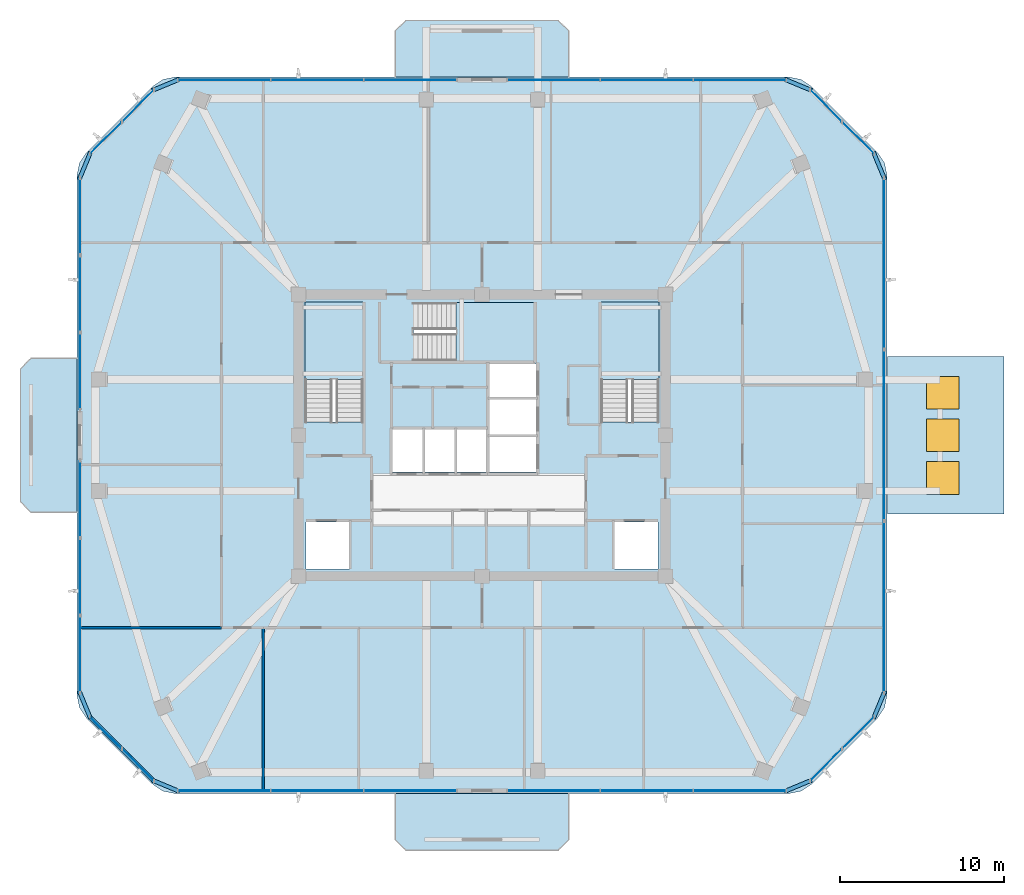
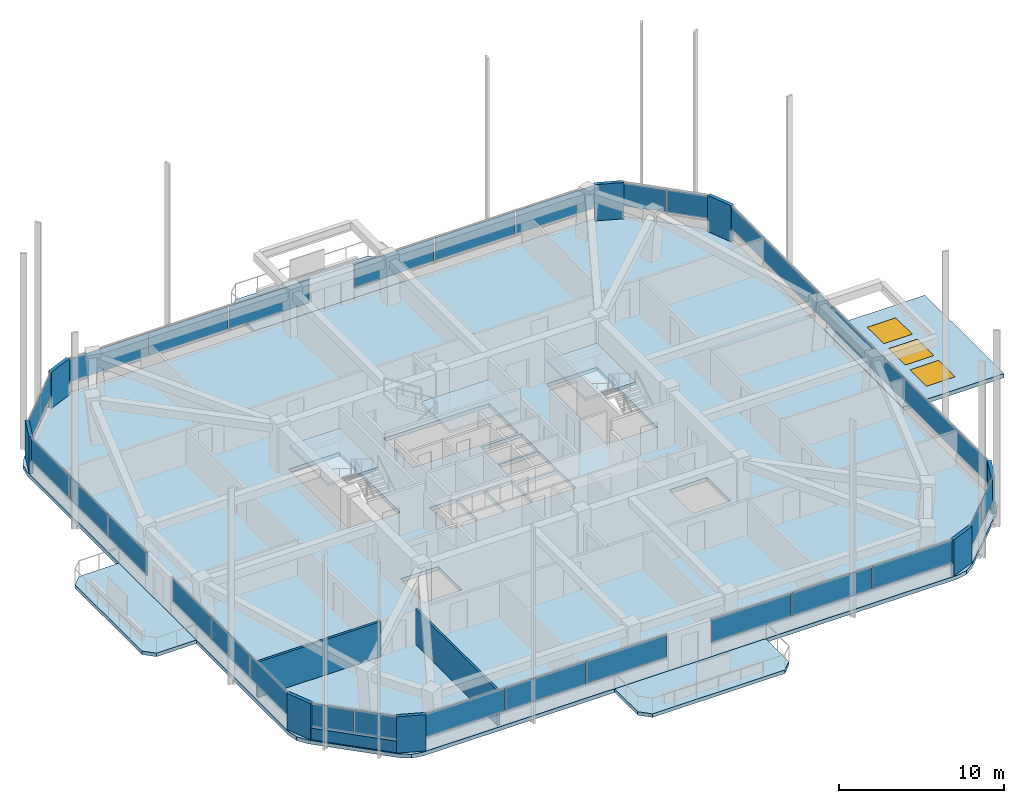
# One storey, part 6 of 14: 37 plates, 8 slabs, 3 walls, 3 windows, 3 openings, 14 elements without a shape of their own.
"""IFC4 building model written with IfcOpenShell, lengths in metres."""

from ifc_helpers import new_model, si_unit, derived_unit, direction, frame, frame_2d, origin, origin_2d, place, context, subcontext, project, spatial, polyline, rectangle, outline, extrude, material, layer, layer_set, type_object, element, fill, aggregate, save


model = new_model("IFC4")

# Units and contexts
model_context = context("Model", 3, precision=1e-05, world=origin(), true_north=direction((0.0, 1.0)))
body_context = subcontext(model_context, "Body", "Model", "MODEL_VIEW")
ifc_project = project(units=[si_unit("LENGTHUNIT", "METRE"), si_unit("AREAUNIT", "SQUARE_METRE"), si_unit("VOLUMEUNIT", "CUBIC_METRE"), si_unit("PLANEANGLEUNIT", "RADIAN"), si_unit("MASSUNIT", "GRAM", prefix="KILO"), derived_unit("THERMALTRANSMITTANCEUNIT", [(si_unit("POWERUNIT", "WATT"), 1), (si_unit("LENGTHUNIT", "METRE"), -2), (si_unit("THERMODYNAMICTEMPERATUREUNIT", "KELVIN"), -1)])], contexts=[model_context])

# Site, building, storey
site_placement = place(None, origin())
site = spatial("IfcSite", under=ifc_project, at=site_placement, CompositionType="ELEMENT")
building_placement = place(site_placement, origin())
building = spatial("IfcBuilding", under=site, at=building_placement, Name="Koralith Skygarden Medical Center", CompositionType="ELEMENT")
storey_placement = place(building_placement, frame((0.0, 0.0, 192.780029296875)))
storey = spatial("IfcBuildingStorey", under=building, at=storey_placement, Name="L49", CompositionType="ELEMENT", Elevation=192.780029296875)

# Curtain wall, plates
ifc_material_1 = material(Name="Clear Laminated Glass", Category="glass")
curtain_wall_type = type_object("IfcCurtainWallType", Name="CW-5 Zone 4 Flare Biophilic Curtain Wall", PredefinedType="NOTDEFINED", material=ifc_material_1)
curtain_wall_1_placement = place(storey_placement, origin())
curtain_wall_1 = element("IfcCurtainWall", 1, at=curtain_wall_1_placement, inside=storey, type_object=curtain_wall_type, Name="Curtain Wall CW-L49-S-L", PredefinedType="NOTDEFINED")
ifc_layer_1 = layer(ifc_material_1, 0.0380859375)
ifc_layer_set_1 = layer_set([ifc_layer_1], Name="Clear Laminated Glass")
plate_type_1 = type_object("IfcPlateType", Name="CW-5 Hurricane Laminated IGU Panel 38", PredefinedType="CURTAIN_PANEL", material=ifc_layer_set_1)
plate_1_placement = place(storey_placement, frame((21.27001953125, 4.205078125, 0.919921875), z_axis=(0.0, 0.0, 1.0), x_axis=(1.0, 0.0, 0.0)))
plate_1 = element("IfcPlate", 2, at=plate_1_placement, type_object=plate_type_1, Name="CW-L49-S-L Glazed Panel 1", PredefinedType="CURTAIN_PANEL", context=body_context, shape_type="SweptSolid", body=[
    extrude(rectangle(XDim=5.5859375, YDim=0.0380859375, at=origin_2d()), origin(), (0.0, 0.0, 1.0), 1.699951171875),
])
plate_2_placement = place(storey_placement, frame((26.946044921875, 4.205078125, 0.919921875), z_axis=(0.0, 0.0, 1.0), x_axis=(1.0, 0.0, 0.0)))
plate_2 = element("IfcPlate", 3, at=plate_2_placement, type_object=plate_type_1, Name="CW-L49-S-L Glazed Panel 2", PredefinedType="CURTAIN_PANEL", context=body_context, shape_type="SweptSolid", body=[
    extrude(rectangle(XDim=5.5859375, YDim=0.0380859375, at=origin_2d()), origin(), (0.0, 0.0, 1.0), 1.699951171875),
])
plate_3_placement = place(storey_placement, frame((32.6220703125, 4.205078125, 0.919921875), z_axis=(0.0, 0.0, 1.0), x_axis=(1.0, 0.0, 0.0)))
plate_3 = element("IfcPlate", 4, at=plate_3_placement, type_object=plate_type_1, Name="CW-L49-S-L Glazed Panel 3", PredefinedType="CURTAIN_PANEL", context=body_context, shape_type="SweptSolid", body=[
    extrude(rectangle(XDim=5.5859375, YDim=0.0380859375, at=origin_2d()), origin(), (0.0, 0.0, 1.0), 1.699951171875),
])
aggregate(curtain_wall_1, [plate_1, plate_2, plate_3])

curtain_wall_2_placement = place(storey_placement, origin())
curtain_wall_2 = element("IfcCurtainWall", 5, at=curtain_wall_2_placement, inside=storey, type_object=curtain_wall_type, Name="Curtain Wall CW-L49-S-R", PredefinedType="NOTDEFINED")
plate_4_placement = place(storey_placement, frame((41.3779296875, 4.205078125, 0.919921875), z_axis=(0.0, 0.0, 1.0), x_axis=(1.0, 0.0, 0.0)))
plate_4 = element("IfcPlate", 6, at=plate_4_placement, type_object=plate_type_1, Name="CW-L49-S-R Glazed Panel 1", PredefinedType="CURTAIN_PANEL", context=body_context, shape_type="SweptSolid", body=[
    extrude(rectangle(XDim=5.5859375, YDim=0.0380859375, at=origin_2d()), origin(), (0.0, 0.0, 1.0), 1.699951171875),
])
plate_5_placement = place(storey_placement, frame((47.053955078125, 4.205078125, 0.919921875), z_axis=(0.0, 0.0, 1.0), x_axis=(1.0, 0.0, 0.0)))
plate_5 = element("IfcPlate", 7, at=plate_5_placement, type_object=plate_type_1, Name="CW-L49-S-R Glazed Panel 2", PredefinedType="CURTAIN_PANEL", context=body_context, shape_type="SweptSolid", body=[
    extrude(rectangle(XDim=5.5859375, YDim=0.0380859375, at=origin_2d()), origin(), (0.0, 0.0, 1.0), 1.699951171875),
])
plate_6_placement = place(storey_placement, frame((52.72998046875, 4.205078125, 0.919921875), z_axis=(0.0, 0.0, 1.0), x_axis=(1.0, 0.0, 0.0)))
plate_6 = element("IfcPlate", 8, at=plate_6_placement, type_object=plate_type_1, Name="CW-L49-S-R Glazed Panel 3", PredefinedType="CURTAIN_PANEL", context=body_context, shape_type="SweptSolid", body=[
    extrude(rectangle(XDim=5.5859375, YDim=0.0380859375, at=origin_2d()), origin(), (0.0, 0.0, 1.0), 1.699951171875),
])
aggregate(curtain_wall_2, [plate_4, plate_5, plate_6])

curtain_wall_3_placement = place(storey_placement, origin())
curtain_wall_3 = element("IfcCurtainWall", 9, at=curtain_wall_3_placement, inside=storey, type_object=curtain_wall_type, Name="Curtain Wall CW-L49-SE", PredefinedType="NOTDEFINED")
plate_7_placement = place(storey_placement, frame((58.0, 5.7880859375, 0.919921875), z_axis=(0.0, 0.0, 1.0), x_axis=(0.707106781187, 0.707106781187, 0.0)))
plate_7 = element("IfcPlate", 10, at=plate_7_placement, type_object=plate_type_1, Name="CW-L49-SE Glazed Panel 1", PredefinedType="CURTAIN_PANEL", context=body_context, shape_type="SweptSolid", body=[
    extrude(rectangle(XDim=2.68408203125, YDim=0.0380859375, at=origin_2d()), origin(), (0.0, 0.0, 1.0), 1.699951171875),
])
plate_8_placement = place(storey_placement, frame((59.9609375, 7.7490234375, 0.919921875), z_axis=(0.0, 0.0, 1.0), x_axis=(0.707106781187, 0.707106781187, 0.0)))
plate_8 = element("IfcPlate", 11, at=plate_8_placement, type_object=plate_type_1, Name="CW-L49-SE Glazed Panel 2", PredefinedType="CURTAIN_PANEL", context=body_context, shape_type="SweptSolid", body=[
    extrude(rectangle(XDim=2.68408203125, YDim=0.0380859375, at=origin_2d()), origin(), (0.0, 0.0, 1.0), 1.699951171875),
])
aggregate(curtain_wall_3, [plate_7, plate_8])

curtain_wall_4_placement = place(storey_placement, origin())
curtain_wall_4 = element("IfcCurtainWall", 12, at=curtain_wall_4_placement, inside=storey, type_object=curtain_wall_type, Name="Curtain Wall CW-L49-E", PredefinedType="NOTDEFINED")
plate_9_placement = place(storey_placement, frame((61.5439453125, 15.4208984375, 0.919921875), z_axis=(0.0, 0.0, 1.0), x_axis=(0.0, 1.0, 0.0)))
plate_9 = element("IfcPlate", 13, at=plate_9_placement, type_object=plate_type_1, Name="CW-L49-E Glazed Panel 1", PredefinedType="CURTAIN_PANEL", context=body_context, shape_type="SweptSolid", body=[
    extrude(rectangle(XDim=10.388916015625, YDim=0.0380859375, at=origin_2d()), origin(), (0.0, 0.0, 1.0), 1.699951171875),
])
plate_10_placement = place(storey_placement, frame((61.5439453125, 25.89990234375, 0.919921875), z_axis=(0.0, 0.0, 1.0), x_axis=(0.0, 1.0, 0.0)))
plate_10 = element("IfcPlate", 14, at=plate_10_placement, type_object=plate_type_1, Name="CW-L49-E Glazed Panel 2", PredefinedType="CURTAIN_PANEL", context=body_context, shape_type="SweptSolid", body=[
    extrude(rectangle(XDim=10.388916015625, YDim=0.0380859375, at=origin_2d()), origin(), (0.0, 0.0, 1.0), 1.699951171875),
])
plate_11_placement = place(storey_placement, frame((61.5439453125, 36.37890625, 0.919921875), z_axis=(0.0, 0.0, 1.0), x_axis=(0.0, 1.0, 0.0)))
plate_11 = element("IfcPlate", 15, at=plate_11_placement, type_object=plate_type_1, Name="CW-L49-E Glazed Panel 3", PredefinedType="CURTAIN_PANEL", context=body_context, shape_type="SweptSolid", body=[
    extrude(rectangle(XDim=10.388916015625, YDim=0.0380859375, at=origin_2d()), origin(), (0.0, 0.0, 1.0), 1.699951171875),
])
aggregate(curtain_wall_4, [plate_9, plate_10, plate_11])

curtain_wall_5_placement = place(storey_placement, origin())
curtain_wall_5 = element("IfcCurtainWall", 16, at=curtain_wall_5_placement, inside=storey, type_object=curtain_wall_type, Name="Curtain Wall CW-L49-NE", PredefinedType="NOTDEFINED")
plate_12_placement = place(storey_placement, frame((59.9609375, 44.051025390625, 0.919921875), z_axis=(0.0, 0.0, 1.0), x_axis=(-0.707106781187, 0.707106781187, 0.0)))
plate_12 = element("IfcPlate", 17, at=plate_12_placement, type_object=plate_type_1, Name="CW-L49-NE Glazed Panel 1", PredefinedType="CURTAIN_PANEL", context=body_context, shape_type="SweptSolid", body=[
    extrude(rectangle(XDim=2.68408203125, YDim=0.0380859375, at=origin_2d()), origin(), (0.0, 0.0, 1.0), 1.699951171875),
])
plate_13_placement = place(storey_placement, frame((58.0, 46.011962890625, 0.919921875), z_axis=(0.0, 0.0, 1.0), x_axis=(-0.707106781187, 0.707106781187, 0.0)))
plate_13 = element("IfcPlate", 18, at=plate_13_placement, type_object=plate_type_1, Name="CW-L49-NE Glazed Panel 2", PredefinedType="CURTAIN_PANEL", context=body_context, shape_type="SweptSolid", body=[
    extrude(rectangle(XDim=2.68408203125, YDim=0.0380859375, at=origin_2d()), origin(), (0.0, 0.0, 1.0), 1.699951171875),
])
aggregate(curtain_wall_5, [plate_12, plate_13])

curtain_wall_6_placement = place(storey_placement, origin())
curtain_wall_6 = element("IfcCurtainWall", 19, at=curtain_wall_6_placement, inside=storey, type_object=curtain_wall_type, Name="Curtain Wall CW-L49-N-L", PredefinedType="NOTDEFINED")
plate_14_placement = place(storey_placement, frame((52.72998046875, 47.593994140625, 0.919921875), z_axis=(0.0, 0.0, 1.0), x_axis=(-1.0, 0.0, 0.0)))
plate_14 = element("IfcPlate", 20, at=plate_14_placement, type_object=plate_type_1, Name="CW-L49-N-L Glazed Panel 1", PredefinedType="CURTAIN_PANEL", context=body_context, shape_type="SweptSolid", body=[
    extrude(rectangle(XDim=5.5859375, YDim=0.0380859375, at=origin_2d()), origin(), (0.0, 0.0, 1.0), 1.699951171875),
])
plate_15_placement = place(storey_placement, frame((47.053955078125, 47.593994140625, 0.919921875), z_axis=(0.0, 0.0, 1.0), x_axis=(-1.0, 0.0, 0.0)))
plate_15 = element("IfcPlate", 21, at=plate_15_placement, type_object=plate_type_1, Name="CW-L49-N-L Glazed Panel 2", PredefinedType="CURTAIN_PANEL", context=body_context, shape_type="SweptSolid", body=[
    extrude(rectangle(XDim=5.5859375, YDim=0.0380859375, at=origin_2d()), origin(), (0.0, 0.0, 1.0), 1.699951171875),
])
plate_16_placement = place(storey_placement, frame((41.3779296875, 47.593994140625, 0.919921875), z_axis=(0.0, 0.0, 1.0), x_axis=(-1.0, 0.0, 0.0)))
plate_16 = element("IfcPlate", 22, at=plate_16_placement, type_object=plate_type_1, Name="CW-L49-N-L Glazed Panel 3", PredefinedType="CURTAIN_PANEL", context=body_context, shape_type="SweptSolid", body=[
    extrude(rectangle(XDim=5.5859375, YDim=0.0380859375, at=origin_2d()), origin(), (0.0, 0.0, 1.0), 1.699951171875),
])
aggregate(curtain_wall_6, [plate_14, plate_15, plate_16])

curtain_wall_7_placement = place(storey_placement, origin())
curtain_wall_7 = element("IfcCurtainWall", 23, at=curtain_wall_7_placement, inside=storey, type_object=curtain_wall_type, Name="Curtain Wall CW-L49-N-R", PredefinedType="NOTDEFINED")
plate_17_placement = place(storey_placement, frame((32.6220703125, 47.593994140625, 0.919921875), z_axis=(0.0, 0.0, 1.0), x_axis=(-1.0, 0.0, 0.0)))
plate_17 = element("IfcPlate", 24, at=plate_17_placement, type_object=plate_type_1, Name="CW-L49-N-R Glazed Panel 1", PredefinedType="CURTAIN_PANEL", context=body_context, shape_type="SweptSolid", body=[
    extrude(rectangle(XDim=5.5859375, YDim=0.0380859375, at=origin_2d()), origin(), (0.0, 0.0, 1.0), 1.699951171875),
])
plate_18_placement = place(storey_placement, frame((26.946044921875, 47.593994140625, 0.919921875), z_axis=(0.0, 0.0, 1.0), x_axis=(-1.0, 0.0, 0.0)))
plate_18 = element("IfcPlate", 25, at=plate_18_placement, type_object=plate_type_1, Name="CW-L49-N-R Glazed Panel 2", PredefinedType="CURTAIN_PANEL", context=body_context, shape_type="SweptSolid", body=[
    extrude(rectangle(XDim=5.5859375, YDim=0.0380859375, at=origin_2d()), origin(), (0.0, 0.0, 1.0), 1.699951171875),
])
plate_19_placement = place(storey_placement, frame((21.27001953125, 47.593994140625, 0.919921875), z_axis=(0.0, 0.0, 1.0), x_axis=(-1.0, 0.0, 0.0)))
plate_19 = element("IfcPlate", 26, at=plate_19_placement, type_object=plate_type_1, Name="CW-L49-N-R Glazed Panel 3", PredefinedType="CURTAIN_PANEL", context=body_context, shape_type="SweptSolid", body=[
    extrude(rectangle(XDim=5.5859375, YDim=0.0380859375, at=origin_2d()), origin(), (0.0, 0.0, 1.0), 1.699951171875),
])
aggregate(curtain_wall_7, [plate_17, plate_18, plate_19])

curtain_wall_8_placement = place(storey_placement, origin())
curtain_wall_8 = element("IfcCurtainWall", 27, at=curtain_wall_8_placement, inside=storey, type_object=curtain_wall_type, Name="Curtain Wall CW-L49-NW", PredefinedType="NOTDEFINED")
plate_20_placement = place(storey_placement, frame((16.0, 46.011962890625, 0.919921875), z_axis=(0.0, 0.0, 1.0), x_axis=(-0.707106781187, -0.707106781187, 0.0)))
plate_20 = element("IfcPlate", 28, at=plate_20_placement, type_object=plate_type_1, Name="CW-L49-NW Glazed Panel 1", PredefinedType="CURTAIN_PANEL", context=body_context, shape_type="SweptSolid", body=[
    extrude(rectangle(XDim=2.68408203125, YDim=0.0380859375, at=origin_2d()), origin(), (0.0, 0.0, 1.0), 1.699951171875),
])
plate_21_placement = place(storey_placement, frame((14.0390625, 44.051025390625, 0.919921875), z_axis=(0.0, 0.0, 1.0), x_axis=(-0.707106781187, -0.707106781187, 0.0)))
plate_21 = element("IfcPlate", 29, at=plate_21_placement, type_object=plate_type_1, Name="CW-L49-NW Glazed Panel 2", PredefinedType="CURTAIN_PANEL", context=body_context, shape_type="SweptSolid", body=[
    extrude(rectangle(XDim=2.68408203125, YDim=0.0380859375, at=origin_2d()), origin(), (0.0, 0.0, 1.0), 1.699951171875),
])
aggregate(curtain_wall_8, [plate_20, plate_21])

curtain_wall_9_placement = place(storey_placement, origin())
curtain_wall_9 = element("IfcCurtainWall", 30, at=curtain_wall_9_placement, inside=storey, type_object=curtain_wall_type, Name="Curtain Wall CW-L49-W-L", PredefinedType="NOTDEFINED")
plate_22_placement = place(storey_placement, frame((12.4560546875, 39.256103515625, 0.919921875), z_axis=(0.0, 0.0, 1.0), x_axis=(0.0, -1.0, 0.0)))
plate_22 = element("IfcPlate", 31, at=plate_22_placement, type_object=plate_type_1, Name="CW-L49-W-L Glazed Panel 1", PredefinedType="CURTAIN_PANEL", context=body_context, shape_type="SweptSolid", body=[
    extrude(rectangle(XDim=4.635986328125, YDim=0.0380859375, at=origin_2d()), origin(), (0.0, 0.0, 1.0), 1.699951171875),
])
plate_23_placement = place(storey_placement, frame((12.4560546875, 34.529052734375, 0.919921875), z_axis=(0.0, 0.0, 1.0), x_axis=(0.0, -1.0, 0.0)))
plate_23 = element("IfcPlate", 32, at=plate_23_placement, type_object=plate_type_1, Name="CW-L49-W-L Glazed Panel 2", PredefinedType="CURTAIN_PANEL", context=body_context, shape_type="SweptSolid", body=[
    extrude(rectangle(XDim=4.635986328125, YDim=0.0380859375, at=origin_2d()), origin(), (0.0, 0.0, 1.0), 1.699951171875),
])
plate_24_placement = place(storey_placement, frame((12.4560546875, 29.802978515625, 0.919921875), z_axis=(0.0, 0.0, 1.0), x_axis=(0.0, -1.0, 0.0)))
plate_24 = element("IfcPlate", 33, at=plate_24_placement, type_object=plate_type_1, Name="CW-L49-W-L Glazed Panel 3", PredefinedType="CURTAIN_PANEL", context=body_context, shape_type="SweptSolid", body=[
    extrude(rectangle(XDim=4.635986328125, YDim=0.0380859375, at=origin_2d()), origin(), (0.0, 0.0, 1.0), 1.699951171875),
])
aggregate(curtain_wall_9, [plate_22, plate_23, plate_24])

curtain_wall_10_placement = place(storey_placement, origin())
curtain_wall_10 = element("IfcCurtainWall", 34, at=curtain_wall_10_placement, inside=storey, type_object=curtain_wall_type, Name="Curtain Wall CW-L49-W-R", PredefinedType="NOTDEFINED")
plate_25_placement = place(storey_placement, frame((12.4560546875, 21.9970703125, 0.919921875), z_axis=(0.0, 0.0, 1.0), x_axis=(0.0, -1.0, 0.0)))
plate_25 = element("IfcPlate", 35, at=plate_25_placement, type_object=plate_type_1, Name="CW-L49-W-R Glazed Panel 1", PredefinedType="CURTAIN_PANEL", context=body_context, shape_type="SweptSolid", body=[
    extrude(rectangle(XDim=4.635986328125, YDim=0.0380859375, at=origin_2d()), origin(), (0.0, 0.0, 1.0), 1.699951171875),
])
plate_26_placement = place(storey_placement, frame((12.4560546875, 17.27001953125, 0.919921875), z_axis=(0.0, 0.0, 1.0), x_axis=(0.0, -1.0, 0.0)))
plate_26 = element("IfcPlate", 36, at=plate_26_placement, type_object=plate_type_1, Name="CW-L49-W-R Glazed Panel 2", PredefinedType="CURTAIN_PANEL", context=body_context, shape_type="SweptSolid", body=[
    extrude(rectangle(XDim=4.635986328125, YDim=0.0380859375, at=origin_2d()), origin(), (0.0, 0.0, 1.0), 1.699951171875),
])
plate_27_placement = place(storey_placement, frame((12.4560546875, 12.5439453125, 0.919921875), z_axis=(0.0, 0.0, 1.0), x_axis=(0.0, -1.0, 0.0)))
plate_27 = element("IfcPlate", 37, at=plate_27_placement, type_object=plate_type_1, Name="CW-L49-W-R Glazed Panel 3", PredefinedType="CURTAIN_PANEL", context=body_context, shape_type="SweptSolid", body=[
    extrude(rectangle(XDim=4.635986328125, YDim=0.0380859375, at=origin_2d()), origin(), (0.0, 0.0, 1.0), 1.699951171875),
])
aggregate(curtain_wall_10, [plate_25, plate_26, plate_27])

curtain_wall_11_placement = place(storey_placement, origin())
curtain_wall_11 = element("IfcCurtainWall", 38, at=curtain_wall_11_placement, inside=storey, type_object=curtain_wall_type, Name="Curtain Wall CW-L49-SW", PredefinedType="NOTDEFINED")
plate_28_placement = place(storey_placement, frame((14.0390625, 7.7490234375, 0.919921875), z_axis=(0.0, 0.0, 1.0), x_axis=(0.707106781187, -0.707106781187, 0.0)))
plate_28 = element("IfcPlate", 39, at=plate_28_placement, type_object=plate_type_1, Name="CW-L49-SW Glazed Panel 1", PredefinedType="CURTAIN_PANEL", context=body_context, shape_type="SweptSolid", body=[
    extrude(rectangle(XDim=2.68408203125, YDim=0.0380859375, at=origin_2d()), origin(), (0.0, 0.0, 1.0), 1.699951171875),
])
plate_29_placement = place(storey_placement, frame((16.0, 5.7880859375, 0.919921875), z_axis=(0.0, 0.0, 1.0), x_axis=(0.707106781187, -0.707106781187, 0.0)))
plate_29 = element("IfcPlate", 40, at=plate_29_placement, type_object=plate_type_1, Name="CW-L49-SW Glazed Panel 2", PredefinedType="CURTAIN_PANEL", context=body_context, shape_type="SweptSolid", body=[
    extrude(rectangle(XDim=2.68408203125, YDim=0.0380859375, at=origin_2d()), origin(), (0.0, 0.0, 1.0), 1.699951171875),
])
aggregate(curtain_wall_11, [plate_28, plate_29])

# Slabs
ifc_material_2 = material(Name="Concrete C45/55", Category="concrete")
ifc_layer_2 = layer(ifc_material_2, 0.260009765625)
ifc_layer_set_2 = layer_set([ifc_layer_2], Name="Concrete C45/55")
slab_type_1 = type_object("IfcSlabType", Name="Cantilevered Planted Balcony Slab 260", PredefinedType="FLOOR", material=ifc_layer_set_2)
slab_1_placement = place(storey_placement, frame((0.0, 0.0, -0.260009765625)))
element("IfcSlab", 41, at=slab_1_placement, inside=storey, type_object=slab_type_1, Name="L49 N Planted Sky-Garden Balcony Slab", PredefinedType="FLOOR", context=body_context, shape_type="SweptSolid", body=[
    extrude(outline(polyline([(31.699951171875, 47.77490234375), (42.300048828125, 47.77490234375), (42.300048828125, 50.574951171875), (41.64990234375, 51.22509765625), (32.35009765625, 51.22509765625), (31.699951171875, 50.574951171875), (31.699951171875, 47.77490234375)])), origin(), (0.0, 0.0, 1.0), 0.260009765625),
])
slab_2_placement = place(storey_placement, frame((0.0, 0.0, -0.260009765625)))
element("IfcSlab", 42, at=slab_2_placement, inside=storey, type_object=slab_type_1, Name="L49 S Planted Sky-Garden Balcony Slab", PredefinedType="FLOOR", context=body_context, shape_type="SweptSolid", body=[
    extrude(outline(polyline([(32.35009765625, 0.574951171875), (41.64990234375, 0.574951171875), (42.300048828125, 1.22509765625), (42.300048828125, 4.02490234375), (31.699951171875, 4.02490234375), (31.699951171875, 1.22509765625), (32.35009765625, 0.574951171875)])), origin(), (0.0, 0.0, 1.0), 0.260009765625),
])
slab_3_placement = place(storey_placement, frame((0.0, 0.0, -0.260009765625)))
element("IfcSlab", 43, at=slab_3_placement, inside=storey, type_object=slab_type_1, Name="L49 W Planted Sky-Garden Balcony Slab", PredefinedType="FLOOR", context=body_context, shape_type="SweptSolid", body=[
    extrude(outline(polyline([(9.47607421875, 21.199951171875), (12.27587890625, 21.199951171875), (12.27587890625, 30.60009765625), (9.47607421875, 30.60009765625), (8.825927734375, 29.949951171875), (8.825927734375, 21.85009765625), (9.47607421875, 21.199951171875)])), origin(), (0.0, 0.0, 1.0), 0.260009765625),
])

# Stair, slab
stair_type = type_object("IfcStairType", Name="Core Exit Dogleg Concrete Stair", PredefinedType="HALF_TURN_STAIR", material=ifc_material_2)
stair_1_placement = place(storey_placement, origin())
stair_1 = element("IfcStair", 44, at=stair_1_placement, inside=storey, type_object=stair_type, Name="L49 Smokeproof Exit Stair ST1", PredefinedType="HALF_TURN_STAIR")
ifc_layer_3 = layer(ifc_material_2, 0.199951171875)
ifc_layer_set_3 = layer_set([ifc_layer_3], Name="Concrete C45/55")
slab_type_2 = type_object("IfcSlabType", Name="Core Exit Concrete Stair Landing 200", PredefinedType="LANDING", material=ifc_layer_set_3)
slab_4_placement = place(storey_placement, frame((0.0, 0.0, 1.599853515625)))
slab_4 = element("IfcSlab", 45, at=slab_4_placement, type_object=slab_type_2, Name="ST1 landing 1", PredefinedType="LANDING", context=body_context, shape_type="SweptSolid", body=[
    extrude(outline(polyline([(29.75, 29.31005859375), (29.75, 34.050048828125), (26.199951171875, 34.050048828125), (26.199951171875, 29.31005859375), (29.75, 29.31005859375)])), origin(), (0.0, 0.0, 1.0), 0.2001953125),
])
aggregate(stair_1, [slab_4])

stair_2_placement = place(storey_placement, origin())
stair_2 = element("IfcStair", 46, at=stair_2_placement, inside=storey, type_object=stair_type, Name="L49 Smokeproof Exit Stair ST2", PredefinedType="HALF_TURN_STAIR")
slab_5_placement = place(storey_placement, frame((0.0, 0.0, 1.599853515625)))
slab_5 = element("IfcSlab", 47, at=slab_5_placement, type_object=slab_type_2, Name="ST2 landing 1", PredefinedType="LANDING", context=body_context, shape_type="SweptSolid", body=[
    extrude(outline(polyline([(47.800048828125, 29.31005859375), (47.800048828125, 34.050048828125), (44.25, 34.050048828125), (44.25, 29.31005859375), (47.800048828125, 29.31005859375)])), origin(), (0.0, 0.0, 1.0), 0.2001953125),
])
aggregate(stair_2, [slab_5])

stair_3_placement = place(storey_placement, origin())
stair_3 = element("IfcStair", 48, at=stair_3_placement, inside=storey, type_object=stair_type, Name="L49 Smokeproof Exit Stair ST3", PredefinedType="HALF_TURN_STAIR")
slab_6_placement = place(storey_placement, frame((0.0, 0.0, 1.599853515625)))
slab_6 = element("IfcSlab", 49, at=slab_6_placement, type_object=slab_type_2, Name="ST3 landing 1", PredefinedType="LANDING", context=body_context, shape_type="SweptSolid", body=[
    extrude(outline(polyline([(35.409912109375, 30.449951171875), (40.199951171875, 30.449951171875), (40.199951171875, 34.0), (35.409912109375, 34.0), (35.409912109375, 30.449951171875)])), origin(), (0.0, 0.0, 1.0), 0.2001953125),
])
aggregate(stair_3, [slab_6])

# Slab, openings, windows
ifc_layer_4 = layer(ifc_material_2, 0.300048828125)
ifc_layer_set_4 = layer_set([ifc_layer_4], Name="Concrete C45/55")
slab_type_3 = type_object("IfcSlabType", Name="Crown Canopy Insulated Roof Slab 300", PredefinedType="ROOF", material=ifc_layer_set_4)
slab_7_placement = place(storey_placement, frame((0.0, 0.0, -0.300048828125)))
slab_7 = element("IfcSlab", 50, at=slab_7_placement, inside=storey, type_object=slab_type_3, Name="L49 Hydrotherapy Sky-Pool Canopy Roof", PredefinedType="ROOF", context=body_context, shape_type="SweptSolid", body=[
    extrude(outline(polyline([(61.743896484375, 21.10009765625), (68.861083984375, 21.10009765625), (68.861083984375, 30.699951171875), (61.743896484375, 30.699951171875), (61.743896484375, 21.10009765625)])), origin(), (0.0, 0.0, 1.0), 0.300048828125),
])
opening_1_placement = place(slab_7_placement, frame((65.1240234375, 23.300048828125, -0.010009765625)))
opening_1 = element("IfcOpeningElement", 51, at=opening_1_placement, cuts=slab_7, Name="Opening SK-02", PredefinedType="OPENING", context=body_context, shape_type="SweptSolid", body=[
    extrude(rectangle(XDim=2.0, YDim=2.0, at=origin_2d()), origin(), (0.0, 0.0, 1.0), 0.320068359375),
])
opening_2_placement = place(slab_7_placement, frame((65.1240234375, 25.89990234375, -0.010009765625)))
opening_2 = element("IfcOpeningElement", 52, at=opening_2_placement, cuts=slab_7, Name="Opening SK-02", PredefinedType="OPENING", context=body_context, shape_type="SweptSolid", body=[
    extrude(rectangle(XDim=2.0, YDim=2.0, at=origin_2d()), origin(), (0.0, 0.0, 1.0), 0.320068359375),
])
opening_3_placement = place(slab_7_placement, frame((65.1240234375, 28.5, -0.010009765625)))
opening_3 = element("IfcOpeningElement", 53, at=opening_3_placement, cuts=slab_7, Name="Opening SK-02", PredefinedType="OPENING", context=body_context, shape_type="SweptSolid", body=[
    extrude(rectangle(XDim=2.0, YDim=2.0, at=origin_2d()), origin(), (0.0, 0.0, 1.0), 0.320068359375),
])
window_type = type_object("IfcWindowType", Name="Crown Canopy Hurricane Skylight SK-02 2000x2000", PartitioningType="SINGLE_PANEL", PredefinedType="SKYLIGHT", material=ifc_material_1)
window_1_placement = place(opening_1_placement, frame((0.0, 0.0, 0.2900390625)))
window_1 = element("IfcWindow", 54, at=window_1_placement, inside=storey, type_object=window_type, Name="L49 Sky-Pool Canopy Hurricane Skylight 1", OverallHeight=2.0, OverallWidth=2.0, PartitioningType="SINGLE_PANEL", PredefinedType="SKYLIGHT", context=body_context, shape_type="SweptSolid", body=[
    extrude(rectangle(XDim=2.0, YDim=2.0, at=origin_2d()), origin(), (0.0, 0.0, 1.0), 0.02001953125),
])
fill(opening_1, window_1)
window_2_placement = place(opening_2_placement, frame((0.0, 0.0, 0.2900390625)))
window_2 = element("IfcWindow", 55, at=window_2_placement, inside=storey, type_object=window_type, Name="L49 Sky-Pool Canopy Hurricane Skylight 2", OverallHeight=2.0, OverallWidth=2.0, PartitioningType="SINGLE_PANEL", PredefinedType="SKYLIGHT", context=body_context, shape_type="SweptSolid", body=[
    extrude(rectangle(XDim=2.0, YDim=2.0, at=origin_2d()), origin(), (0.0, 0.0, 1.0), 0.02001953125),
])
fill(opening_2, window_2)
window_3_placement = place(opening_3_placement, frame((0.0, 0.0, 0.2900390625)))
window_3 = element("IfcWindow", 56, at=window_3_placement, inside=storey, type_object=window_type, Name="L49 Sky-Pool Canopy Hurricane Skylight 3", OverallHeight=2.0, OverallWidth=2.0, PartitioningType="SINGLE_PANEL", PredefinedType="SKYLIGHT", context=body_context, shape_type="SweptSolid", body=[
    extrude(rectangle(XDim=2.0, YDim=2.0, at=origin_2d()), origin(), (0.0, 0.0, 1.0), 0.02001953125),
])
fill(opening_3, window_3)

# Slab
ifc_layer_5 = layer(ifc_material_2, 0.280029296875)
ifc_layer_set_5 = layer_set([ifc_layer_5], Name="Concrete C45/55")
slab_type_4 = type_object("IfcSlabType", Name="Post-Tensioned Ward Floor Plate 280", PredefinedType="FLOOR", material=ifc_layer_set_5)
slab_8_placement = place(storey_placement, frame((0.0, 0.0, -0.280029296875)))
element("IfcSlab", 57, at=slab_8_placement, inside=storey, type_object=slab_type_4, Name="Level L49 Structural Floor Slab", PredefinedType="FLOOR", context=body_context, shape_type="SweptSolid", body=[
    extrude(outline(polyline([(16.89111328125, 4.611083984375), (17.5400390625, 4.177978515625), (18.304931640625, 4.02490234375), (55.695068359375, 4.02490234375), (56.4599609375, 4.177978515625), (57.10888671875, 4.611083984375), (61.137939453125, 8.639892578125), (61.571044921875, 9.2890625), (61.72412109375, 10.053955078125), (61.72412109375, 41.74609375), (61.571044921875, 42.510986328125), (61.137939453125, 43.159912109375), (57.10888671875, 47.18896484375), (56.4599609375, 47.6220703125), (55.695068359375, 47.77490234375), (18.304931640625, 47.77490234375), (17.5400390625, 47.6220703125), (16.89111328125, 47.18896484375), (12.862060546875, 43.159912109375), (12.428955078125, 42.510986328125), (12.27587890625, 41.74609375), (12.27587890625, 10.053955078125), (12.428955078125, 9.2890625), (12.862060546875, 8.639892578125), (16.89111328125, 4.611083984375)]), holes=[polyline([(26.199951171875, 26.705078125), (29.75, 26.705078125), (29.75, 34.050048828125), (26.199951171875, 34.050048828125), (26.199951171875, 26.705078125)]), polyline([(44.25, 26.705078125), (47.800048828125, 26.705078125), (47.800048828125, 34.050048828125), (44.25, 34.050048828125), (44.25, 26.705078125)]), polyline([(32.804931640625, 30.449951171875), (40.199951171875, 30.449951171875), (40.199951171875, 34.0), (32.804931640625, 34.0), (32.804931640625, 30.449951171875)]), polyline([(26.25, 17.75), (28.89990234375, 17.75), (28.89990234375, 20.60009765625), (26.25, 20.60009765625), (26.25, 17.75)]), polyline([(45.10009765625, 17.75), (47.75, 17.75), (47.75, 20.60009765625), (45.10009765625, 20.60009765625), (45.10009765625, 17.75)]), polyline([(31.550048828125, 23.64990234375), (33.39990234375, 23.64990234375), (33.39990234375, 26.25), (31.550048828125, 26.25), (31.550048828125, 23.64990234375)]), polyline([(33.5, 23.64990234375), (35.35009765625, 23.64990234375), (35.35009765625, 26.25), (33.5, 26.25), (33.5, 23.64990234375)]), polyline([(35.449951171875, 23.64990234375), (37.300048828125, 23.64990234375), (37.300048828125, 26.25), (35.449951171875, 26.25), (35.449951171875, 23.64990234375)]), polyline([(37.449951171875, 23.64990234375), (40.300048828125, 23.64990234375), (40.300048828125, 25.800048828125), (37.449951171875, 25.800048828125), (37.449951171875, 23.64990234375)]), polyline([(37.449951171875, 25.949951171875), (40.300048828125, 25.949951171875), (40.300048828125, 28.10009765625), (37.449951171875, 28.10009765625), (37.449951171875, 25.949951171875)]), polyline([(37.449951171875, 28.25), (40.300048828125, 28.25), (40.300048828125, 30.25), (37.449951171875, 30.25), (37.449951171875, 28.25)])]), origin(), (0.0, 0.0, 1.0), 0.280029296875),
])

# Plates
ifc_material_3 = material(Name="Warm Oolitic Limestone Cladding", Category="masonry")
ifc_layer_6 = layer(ifc_material_3, 0.239990234375)
ifc_layer_set_6 = layer_set([ifc_layer_6], Name="Warm Oolitic Limestone Cladding")
plate_type_2 = type_object("IfcPlateType", Name="Rounded-Corner Oolitic Limestone Cladding Panel 240", PredefinedType="USERDEFINED", material=ifc_layer_set_6)
for number, where, z_axis, x_axis, name in (
    (58, (56.29296875, 4.506103515625, 0.0), (0.0, 0.0, 1.0), (0.923659638286, 0.383213873184, 0.0), "L49 Rounded-Corner Limestone Pier 1"),
    (59, (61.242919921875, 9.4560546875, 0.0), (0.0, 0.0, 1.0), (0.383213873184, 0.923659638286, 0.0), "L49 Rounded-Corner Limestone Pier 2"),
    (60, (61.242919921875, 42.343994140625, 0.0), (0.0, 0.0, 1.0), (-0.383213873184, 0.923659638286, 0.0), "L49 Rounded-Corner Limestone Pier 3"),
    (61, (56.29296875, 47.2939453125, 0.0), (0.0, 0.0, 1.0), (-0.92388487569, 0.382670532536, 0.0), "L49 Rounded-Corner Limestone Pier 4"),
    (62, (17.7060546875, 47.2939453125, 0.0), (0.0, 0.0, 1.0), (-0.92388487569, -0.382670532536, 0.0), "L49 Rounded-Corner Limestone Pier 5"),
    (63, (12.757080078125, 42.343994140625, 0.0), (0.0, 0.0, 1.0), (-0.383213873184, -0.923659638286, 0.0), "L49 Rounded-Corner Limestone Pier 6"),
    (64, (12.757080078125, 9.4560546875, 0.0), (0.0, 0.0, 1.0), (0.383213873184, -0.923659638286, 0.0), "L49 Rounded-Corner Limestone Pier 7"),
    (65, (17.7060546875, 4.506103515625, 0.0), (0.0, 0.0, 1.0), (0.923659638286, -0.383213873184, 0.0), "L49 Rounded-Corner Limestone Pier 8"),
):
    element("IfcPlate", number, at=place(storey_placement, frame(where, z_axis=z_axis, x_axis=x_axis)), inside=storey, type_object=plate_type_2, Name=name, ObjectType="LIMESTONE CLADDING", PredefinedType="USERDEFINED", context=body_context, shape_type="SweptSolid", body=[
        extrude(rectangle(XDim=1.81103515625, YDim=0.239990234375, at=origin_2d()), origin(), (0.0, 0.0, 1.0), 2.68994140625),
    ])

# Walls
ifc_material_4 = material(Name="Gypsum Board Partition")
ifc_layer_7 = layer(ifc_material_4, 0.14990234375)
ifc_layer_set_7 = layer_set([ifc_layer_7], Name="Gypsum Board Partition")
wall_type_1 = type_object("IfcWallType", Name="Clinical Acoustic Partition 150", PredefinedType="PARTITIONING", material=ifc_layer_set_7)
wall_1_placement = place(storey_placement, frame((23.64990234375, 14.14990234375, 0.0), z_axis=(0.0, 0.0, 1.0), x_axis=(0.0, -1.0, 0.0)))
element("IfcWall", 66, at=wall_1_placement, inside=storey, type_object=wall_type_1, Name="L49 Clinical Acoustic Partition 150 W-PART-L49-S-01", PredefinedType="PARTITIONING", context=body_context, shape_type="SweptSolid", body=[
    extrude(rectangle(XDim=9.9248046875, YDim=0.14990234375, at=frame_2d((4.96240234375, 0.0))), origin(), (0.0, 0.0, 1.0), 2.60986328125),
])
ifc_layer_8 = layer(ifc_material_4, 0.1650390625)
ifc_layer_set_8 = layer_set([ifc_layer_8], Name="Gypsum Board Partition")
wall_type_2 = type_object("IfcWallType", Name="Clinical Corridor Partition 165", PredefinedType="PARTITIONING", material=ifc_layer_set_8)
wall_2_placement = place(storey_placement, frame((12.47607421875, 14.14990234375, 0.0), z_axis=(0.0, 0.0, 1.0), x_axis=(1.0, 0.0, 0.0)))
element("IfcWall", 67, at=wall_2_placement, inside=storey, type_object=wall_type_2, Name="L49 Clinical Corridor Partition 165 W-WB-L49-SW", PredefinedType="PARTITIONING", context=body_context, shape_type="SweptSolid", body=[
    extrude(rectangle(XDim=8.6240234375, YDim=0.1650390625, at=frame_2d((4.31201171875, 0.0))), origin(), (0.0, 0.0, 1.0), 2.60986328125),
])
ifc_layer_9 = layer(ifc_material_3, 0.239990234375)
ifc_layer_set_9 = layer_set([ifc_layer_9], Name="Warm Oolitic Limestone Cladding")
wall_type_3 = type_object("IfcWallType", Name="Limestone Spandrel Sill Backup Wall 240", PredefinedType="SOLIDWALL", material=ifc_layer_set_9)
wall_3_placement = place(storey_placement, frame((13.05810546875, 8.72998046875, 0.0), z_axis=(0.0, 0.0, 1.0), x_axis=(0.707084777957, -0.707128783731, 0.0)))
element("IfcWall", 68, at=wall_3_placement, inside=storey, type_object=wall_type_3, Name="L49 Sill Spandrel SW", PredefinedType="SOLIDWALL", context=body_context, shape_type="SweptSolid", body=[
    extrude(rectangle(XDim=5.5478515625, YDim=0.239990234375, at=frame_2d((2.77392578125, 0.0))), origin(), (0.0, 0.0, 1.0), 0.849853515625),
])

save(model, "model.ifc")
